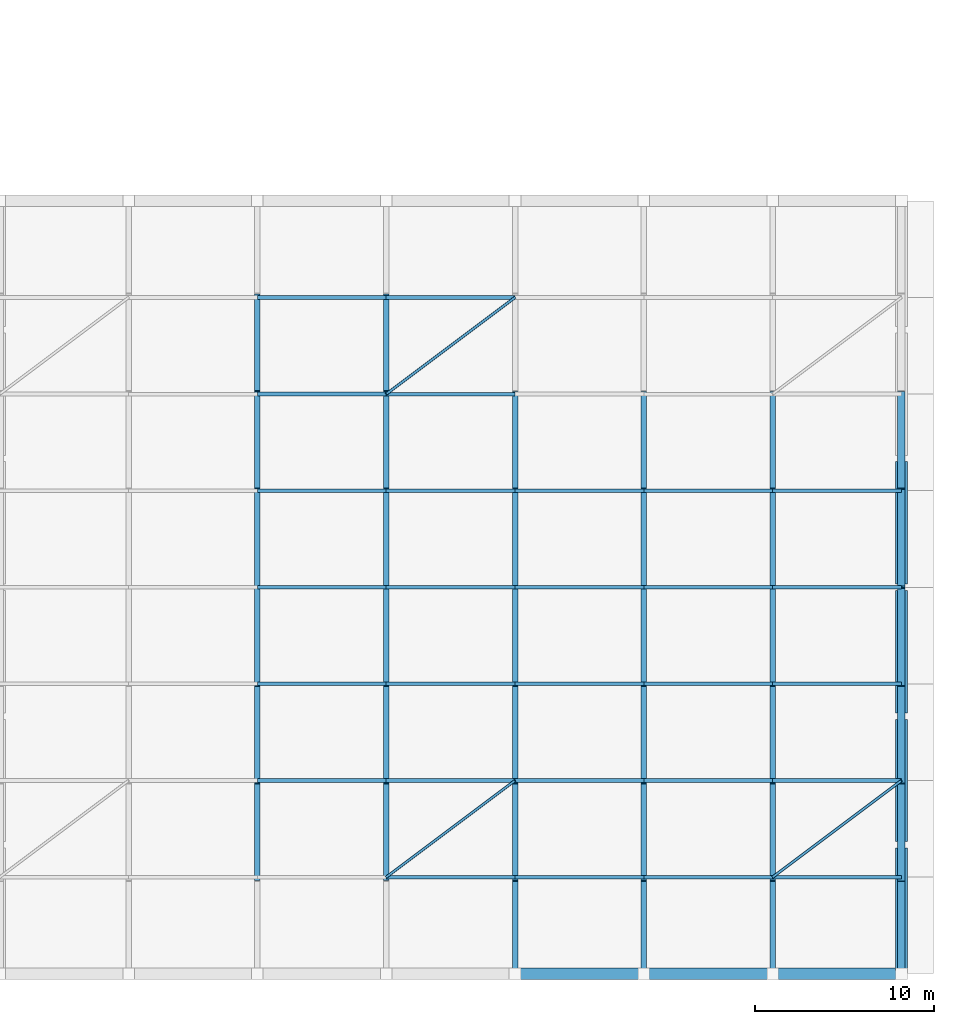
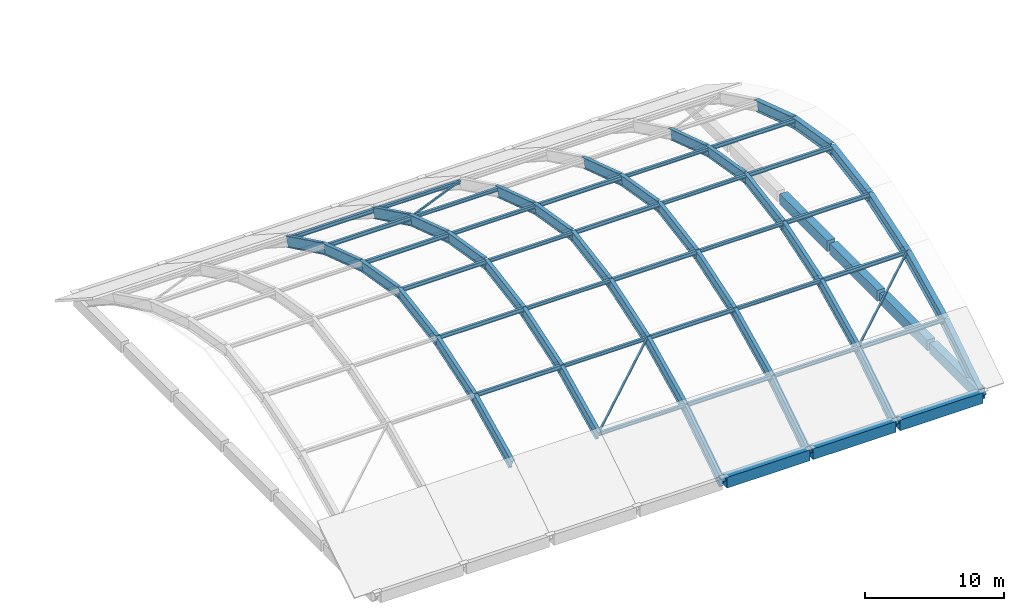
# One storey, part 21 of 38: 43 beams, 31 members.
"""IFC4 building model written with IfcOpenShell, lengths in metres."""

from ifc_helpers import new_model, si_unit, direction, frame, origin, origin_2d, place, context, subcontext, project, spatial, rectangle, hollow_rectangle, i_section, extrude, material, material_profile, profile_set, type_object, element, save


model = new_model("IFC4")

# Units and contexts
model_context = context("Model", 3, precision=1e-05, world=origin(), true_north=direction((0.0, 1.0)))
body_context = subcontext(model_context, "Body", "Model", "MODEL_VIEW")
ifc_project = project(units=[si_unit("LENGTHUNIT", "METRE"), si_unit("AREAUNIT", "SQUARE_METRE"), si_unit("VOLUMEUNIT", "CUBIC_METRE"), si_unit("PLANEANGLEUNIT", "RADIAN"), si_unit("MASSUNIT", "GRAM", prefix="KILO")], contexts=[model_context])

# Site, building, storey
site_placement = place(None, origin())
site = spatial("IfcSite", under=ifc_project, at=site_placement, CompositionType="ELEMENT")
building_placement = place(site_placement, origin())
building = spatial("IfcBuilding", under=site, at=building_placement, Name="Kalmorath City Hall", CompositionType="ELEMENT")
storey_placement = place(building_placement, frame((0.0, 0.0, 18.89990234375)))
storey = spatial("IfcBuildingStorey", under=building, at=storey_placement, Name="L04", CompositionType="ELEMENT", Elevation=18.89990234375)

# Beams
ifc_material_1 = material(Name="Concrete C50/60", Category="concrete")
ifc_material_profile_1 = material_profile(ifc_material_1, rectangle(XDim=0.64990234375, YDim=0.949951171875, at=origin_2d()), Name="RC-RING-650X950")
ifc_profile_set_1 = profile_set([ifc_material_profile_1], Name="Concrete C50/60")
beam_type_1 = type_object("IfcBeamType", Name="Concrete shell ring beam 650x950", PredefinedType="SPANDREL", material=ifc_profile_set_1)
beam_1_placement = place(storey_placement, frame((144.1845703125, 0.0, -0.474853515625), z_axis=(1.0, 0.0, 0.0), x_axis=(0.0, 1.0, 0.0)))
element("IfcBeam", 1, at=beam_1_placement, inside=storey, type_object=beam_type_1, Name="Chamber shell perimeter edge beam RB1-S5", PredefinedType="SPANDREL", context=body_context, shape_type="SweptSolid", body=[
    extrude(rectangle(XDim=0.64990234375, YDim=0.949951171875, at=origin_2d()), origin(), (0.0, 0.0, 1.0), 6.887451171875),
])
beam_2_placement = place(storey_placement, frame((151.327880859375, 0.0, -0.474853515625), z_axis=(1.0, 0.0, 0.0), x_axis=(0.0, 1.0, 0.0)))
element("IfcBeam", 2, at=beam_2_placement, inside=storey, type_object=beam_type_1, Name="Chamber shell perimeter edge beam RB1-S6", PredefinedType="SPANDREL", context=body_context, shape_type="SweptSolid", body=[
    extrude(rectangle(XDim=0.64990234375, YDim=0.949951171875, at=origin_2d()), origin(), (0.0, 0.0, 1.0), 6.8876953125),
])
beam_3_placement = place(storey_placement, frame((158.58447265625, 0.0, -0.474853515625), z_axis=(1.0, 0.0, 0.0), x_axis=(0.0, 1.0, 0.0)))
element("IfcBeam", 3, at=beam_3_placement, inside=storey, type_object=beam_type_1, Name="Chamber shell perimeter edge beam RB1-S7", PredefinedType="SPANDREL", context=body_context, shape_type="SweptSolid", body=[
    extrude(rectangle(XDim=0.64990234375, YDim=0.949951171875, at=origin_2d()), origin(), (0.0, 0.0, 1.0), 6.887451171875),
])
for number, where, z_axis, x_axis, name in (
    (4, (165.60009765625, 0.179931640625, -0.474853515625), (0.0, 1.0, 0.0), (-1.0, 0.0, 0.0), "Chamber shell gable tie beam RB1-E1"),
    (5, (165.60009765625, 7.3798828125, -0.474853515625), (0.0, 1.0, 0.0), (-1.0, 0.0, 0.0), "Chamber shell gable tie beam RB1-E2"),
):
    element("IfcBeam", number, at=place(storey_placement, frame(where, z_axis=z_axis, x_axis=x_axis)), inside=storey, type_object=beam_type_1, Name=name, PredefinedType="SPANDREL", context=body_context, shape_type="SweptSolid", body=[
        extrude(rectangle(XDim=0.64990234375, YDim=0.949951171875, at=origin_2d()), origin(), (0.0, 0.0, 1.0), 6.840087890625),
    ])
beam_4_placement = place(storey_placement, frame((165.60009765625, 14.580078125, -0.474853515625), z_axis=(0.0, 1.0, 0.0), x_axis=(-1.0, 0.0, 0.0)))
element("IfcBeam", 6, at=beam_4_placement, inside=storey, type_object=beam_type_1, Name="Chamber shell gable tie beam RB1-E3", PredefinedType="SPANDREL", context=body_context, shape_type="SweptSolid", body=[
    extrude(rectangle(XDim=0.64990234375, YDim=0.949951171875, at=origin_2d()), origin(), (0.0, 0.0, 1.0), 6.83984375),
])
beam_5_placement = place(storey_placement, frame((165.60009765625, 21.780029296875, -0.474853515625), z_axis=(0.0, 1.0, 0.0), x_axis=(-1.0, 0.0, 0.0)))
element("IfcBeam", 7, at=beam_5_placement, inside=storey, type_object=beam_type_1, Name="Chamber shell gable tie beam RB1-E4", PredefinedType="SPANDREL", context=body_context, shape_type="SweptSolid", body=[
    extrude(rectangle(XDim=0.64990234375, YDim=0.949951171875, at=origin_2d()), origin(), (0.0, 0.0, 1.0), 6.840087890625),
])
ifc_material_2 = material(Name="Steel ASTM A992 Grade 50", Category="steel")
ifc_material_profile_2 = material_profile(ifc_material_2, i_section(OverallWidth=0.306884765625, OverallDepth=0.923095703125, WebThickness=0.018310546875, FlangeThickness=0.030029296875, FilletRadius=0.02392578125, at=origin_2d()), Name="W36X182")
ifc_profile_set_2 = profile_set([ifc_material_profile_2], Name="Steel ASTM A992 Grade 50")
beam_type_2 = type_object("IfcBeamType", Name="Steel parabolic shell arch rib W36X182", PredefinedType="BEAM", material=ifc_profile_set_2)
beam_6_placement = place(storey_placement, frame((129.60009765625, 5.39990234375, 2.78564453125), z_axis=(0.0, 0.899116638092, 0.437709117002), x_axis=(-1.0, 0.0, 0.0)))
element("IfcBeam", 8, at=beam_6_placement, inside=storey, type_object=beam_type_2, Name="Chamber shell arch rib AR2 R3.2", PredefinedType="BEAM", context=body_context, shape_type="SweptSolid", body=[
    extrude(i_section(OverallWidth=0.306884765625, OverallDepth=0.923095703125, WebThickness=0.018310546875, FlangeThickness=0.030029296875, FilletRadius=0.02392578125, at=origin_2d()), origin(), (0.0, 0.0, 1.0), 6.006103515625),
])
beam_7_placement = place(storey_placement, frame((129.60009765625, 10.800048828125, 5.41455078125), z_axis=(0.0, 0.950201598717, 0.311635880147), x_axis=(-1.0, 0.0, 0.0)))
element("IfcBeam", 9, at=beam_7_placement, inside=storey, type_object=beam_type_2, Name="Chamber shell arch rib AR2 R3.3", PredefinedType="BEAM", context=body_context, shape_type="SweptSolid", body=[
    extrude(i_section(OverallWidth=0.306884765625, OverallDepth=0.923095703125, WebThickness=0.018310546875, FlangeThickness=0.030029296875, FilletRadius=0.02392578125, at=origin_2d()), origin(), (0.0, 0.0, 1.0), 5.682861328125),
])
beam_8_placement = place(storey_placement, frame((129.60009765625, 16.199951171875, 7.185546875), z_axis=(0.0, 0.986004456635, 0.166718959619), x_axis=(-1.0, 0.0, 0.0)))
element("IfcBeam", 10, at=beam_8_placement, inside=storey, type_object=beam_type_2, Name="Chamber shell arch rib AR2 R3.4", PredefinedType="BEAM", context=body_context, shape_type="SweptSolid", body=[
    extrude(i_section(OverallWidth=0.306884765625, OverallDepth=0.923095703125, WebThickness=0.018310546875, FlangeThickness=0.030029296875, FilletRadius=0.02392578125, at=origin_2d()), origin(), (0.0, 0.0, 1.0), 5.476806640625),
])
beam_9_placement = place(storey_placement, frame((129.60009765625, 21.60009765625, 8.0986328125), z_axis=(0.0, 0.986003217519, -0.166726287798), x_axis=(-1.0, 0.0, 0.0)))
element("IfcBeam", 11, at=beam_9_placement, inside=storey, type_object=beam_type_2, Name="Chamber shell arch rib AR2 R3.5", PredefinedType="BEAM", context=body_context, shape_type="SweptSolid", body=[
    extrude(i_section(OverallWidth=0.306884765625, OverallDepth=0.923095703125, WebThickness=0.018310546875, FlangeThickness=0.030029296875, FilletRadius=0.02392578125, at=origin_2d()), origin(), (0.0, 0.0, 1.0), 5.4765625),
])
beam_10_placement = place(storey_placement, frame((129.60009765625, 27.0, 7.185546875), z_axis=(0.0, 0.950201598717, -0.311635880147), x_axis=(-1.0, 0.0, 0.0)))
element("IfcBeam", 12, at=beam_10_placement, inside=storey, type_object=beam_type_2, Name="Chamber shell arch rib AR2 R3.6", PredefinedType="BEAM", context=body_context, shape_type="SweptSolid", body=[
    extrude(i_section(OverallWidth=0.306884765625, OverallDepth=0.923095703125, WebThickness=0.018310546875, FlangeThickness=0.030029296875, FilletRadius=0.02392578125, at=origin_2d()), origin(), (0.0, 0.0, 1.0), 5.682861328125),
])
for number, where, z_axis, x_axis, name in (
    (13, (129.60009765625, 32.39990234375, 5.41455078125), (0.0, 0.899116638092, -0.437709117002), (-1.0, 0.0, 0.0), "Chamber shell arch rib AR2 R3.7"),
    (14, (136.800048828125, 5.39990234375, 2.78564453125), (0.0, 0.899116638092, 0.437709117002), (-1.0, 0.0, 0.0), "Chamber shell arch rib AR2 R4.2"),
):
    element("IfcBeam", number, at=place(storey_placement, frame(where, z_axis=z_axis, x_axis=x_axis)), inside=storey, type_object=beam_type_2, Name=name, PredefinedType="BEAM", context=body_context, shape_type="SweptSolid", body=[
        extrude(i_section(OverallWidth=0.306884765625, OverallDepth=0.923095703125, WebThickness=0.018310546875, FlangeThickness=0.030029296875, FilletRadius=0.02392578125, at=origin_2d()), origin(), (0.0, 0.0, 1.0), 6.006103515625),
    ])
beam_11_placement = place(storey_placement, frame((136.800048828125, 10.800048828125, 5.41455078125), z_axis=(0.0, 0.950201598717, 0.311635880147), x_axis=(-1.0, 0.0, 0.0)))
element("IfcBeam", 15, at=beam_11_placement, inside=storey, type_object=beam_type_2, Name="Chamber shell arch rib AR2 R4.3", PredefinedType="BEAM", context=body_context, shape_type="SweptSolid", body=[
    extrude(i_section(OverallWidth=0.306884765625, OverallDepth=0.923095703125, WebThickness=0.018310546875, FlangeThickness=0.030029296875, FilletRadius=0.02392578125, at=origin_2d()), origin(), (0.0, 0.0, 1.0), 5.682861328125),
])
beam_12_placement = place(storey_placement, frame((136.800048828125, 16.199951171875, 7.185546875), z_axis=(0.0, 0.986004456635, 0.166718959619), x_axis=(-1.0, 0.0, 0.0)))
element("IfcBeam", 16, at=beam_12_placement, inside=storey, type_object=beam_type_2, Name="Chamber shell arch rib AR2 R4.4", PredefinedType="BEAM", context=body_context, shape_type="SweptSolid", body=[
    extrude(i_section(OverallWidth=0.306884765625, OverallDepth=0.923095703125, WebThickness=0.018310546875, FlangeThickness=0.030029296875, FilletRadius=0.02392578125, at=origin_2d()), origin(), (0.0, 0.0, 1.0), 5.476806640625),
])
beam_13_placement = place(storey_placement, frame((136.800048828125, 21.60009765625, 8.0986328125), z_axis=(0.0, 0.986003217519, -0.166726287798), x_axis=(-1.0, 0.0, 0.0)))
element("IfcBeam", 17, at=beam_13_placement, inside=storey, type_object=beam_type_2, Name="Chamber shell arch rib AR2 R4.5", PredefinedType="BEAM", context=body_context, shape_type="SweptSolid", body=[
    extrude(i_section(OverallWidth=0.306884765625, OverallDepth=0.923095703125, WebThickness=0.018310546875, FlangeThickness=0.030029296875, FilletRadius=0.02392578125, at=origin_2d()), origin(), (0.0, 0.0, 1.0), 5.4765625),
])
beam_14_placement = place(storey_placement, frame((136.800048828125, 27.0, 7.185546875), z_axis=(0.0, 0.950201598717, -0.311635880147), x_axis=(-1.0, 0.0, 0.0)))
element("IfcBeam", 18, at=beam_14_placement, inside=storey, type_object=beam_type_2, Name="Chamber shell arch rib AR2 R4.6", PredefinedType="BEAM", context=body_context, shape_type="SweptSolid", body=[
    extrude(i_section(OverallWidth=0.306884765625, OverallDepth=0.923095703125, WebThickness=0.018310546875, FlangeThickness=0.030029296875, FilletRadius=0.02392578125, at=origin_2d()), origin(), (0.0, 0.0, 1.0), 5.682861328125),
])
beam_15_placement = place(storey_placement, frame((136.800048828125, 32.39990234375, 5.41455078125), z_axis=(0.0, 0.899116638092, -0.437709117002), x_axis=(-1.0, 0.0, 0.0)))
element("IfcBeam", 19, at=beam_15_placement, inside=storey, type_object=beam_type_2, Name="Chamber shell arch rib AR2 R4.7", PredefinedType="BEAM", context=body_context, shape_type="SweptSolid", body=[
    extrude(i_section(OverallWidth=0.306884765625, OverallDepth=0.923095703125, WebThickness=0.018310546875, FlangeThickness=0.030029296875, FilletRadius=0.02392578125, at=origin_2d()), origin(), (0.0, 0.0, 1.0), 6.006103515625),
])
beam_16_placement = place(storey_placement, frame((144.0, 0.0, -0.701416015625), z_axis=(0.0, 0.840066062404, 0.542484111101), x_axis=(-1.0, 0.0, 0.0)))
element("IfcBeam", 20, at=beam_16_placement, inside=storey, type_object=beam_type_2, Name="Chamber shell arch rib AR2 R5.1", PredefinedType="BEAM", context=body_context, shape_type="SweptSolid", body=[
    extrude(i_section(OverallWidth=0.306884765625, OverallDepth=0.923095703125, WebThickness=0.018310546875, FlangeThickness=0.030029296875, FilletRadius=0.02392578125, at=origin_2d()), origin(), (0.0, 0.0, 1.0), 6.427978515625),
])
beam_17_placement = place(storey_placement, frame((144.0, 5.39990234375, 2.78564453125), z_axis=(0.0, 0.899116638092, 0.437709117002), x_axis=(-1.0, 0.0, 0.0)))
element("IfcBeam", 21, at=beam_17_placement, inside=storey, type_object=beam_type_2, Name="Chamber shell arch rib AR2 R5.2", PredefinedType="BEAM", context=body_context, shape_type="SweptSolid", body=[
    extrude(i_section(OverallWidth=0.306884765625, OverallDepth=0.923095703125, WebThickness=0.018310546875, FlangeThickness=0.030029296875, FilletRadius=0.02392578125, at=origin_2d()), origin(), (0.0, 0.0, 1.0), 6.006103515625),
])
beam_18_placement = place(storey_placement, frame((144.0, 10.800048828125, 5.41455078125), z_axis=(0.0, 0.950201598717, 0.311635880147), x_axis=(-1.0, 0.0, 0.0)))
element("IfcBeam", 22, at=beam_18_placement, inside=storey, type_object=beam_type_2, Name="Chamber shell arch rib AR2 R5.3", PredefinedType="BEAM", context=body_context, shape_type="SweptSolid", body=[
    extrude(i_section(OverallWidth=0.306884765625, OverallDepth=0.923095703125, WebThickness=0.018310546875, FlangeThickness=0.030029296875, FilletRadius=0.02392578125, at=origin_2d()), origin(), (0.0, 0.0, 1.0), 5.682861328125),
])
beam_19_placement = place(storey_placement, frame((144.0, 16.199951171875, 7.185546875), z_axis=(0.0, 0.986004456635, 0.166718959619), x_axis=(-1.0, 0.0, 0.0)))
element("IfcBeam", 23, at=beam_19_placement, inside=storey, type_object=beam_type_2, Name="Chamber shell arch rib AR2 R5.4", PredefinedType="BEAM", context=body_context, shape_type="SweptSolid", body=[
    extrude(i_section(OverallWidth=0.306884765625, OverallDepth=0.923095703125, WebThickness=0.018310546875, FlangeThickness=0.030029296875, FilletRadius=0.02392578125, at=origin_2d()), origin(), (0.0, 0.0, 1.0), 5.476806640625),
])
beam_20_placement = place(storey_placement, frame((144.0, 21.60009765625, 8.0986328125), z_axis=(0.0, 0.986003217519, -0.166726287798), x_axis=(-1.0, 0.0, 0.0)))
element("IfcBeam", 24, at=beam_20_placement, inside=storey, type_object=beam_type_2, Name="Chamber shell arch rib AR2 R5.5", PredefinedType="BEAM", context=body_context, shape_type="SweptSolid", body=[
    extrude(i_section(OverallWidth=0.306884765625, OverallDepth=0.923095703125, WebThickness=0.018310546875, FlangeThickness=0.030029296875, FilletRadius=0.02392578125, at=origin_2d()), origin(), (0.0, 0.0, 1.0), 5.4765625),
])
beam_21_placement = place(storey_placement, frame((144.0, 27.0, 7.185546875), z_axis=(0.0, 0.950201598717, -0.311635880147), x_axis=(-1.0, 0.0, 0.0)))
element("IfcBeam", 25, at=beam_21_placement, inside=storey, type_object=beam_type_2, Name="Chamber shell arch rib AR2 R5.6", PredefinedType="BEAM", context=body_context, shape_type="SweptSolid", body=[
    extrude(i_section(OverallWidth=0.306884765625, OverallDepth=0.923095703125, WebThickness=0.018310546875, FlangeThickness=0.030029296875, FilletRadius=0.02392578125, at=origin_2d()), origin(), (0.0, 0.0, 1.0), 5.682861328125),
])
beam_22_placement = place(storey_placement, frame((151.199951171875, 0.0, -0.701416015625), z_axis=(0.0, 0.840066062404, 0.542484111101), x_axis=(-1.0, 0.0, 0.0)))
element("IfcBeam", 26, at=beam_22_placement, inside=storey, type_object=beam_type_2, Name="Chamber shell arch rib AR2 R6.1", PredefinedType="BEAM", context=body_context, shape_type="SweptSolid", body=[
    extrude(i_section(OverallWidth=0.306884765625, OverallDepth=0.923095703125, WebThickness=0.018310546875, FlangeThickness=0.030029296875, FilletRadius=0.02392578125, at=origin_2d()), origin(), (0.0, 0.0, 1.0), 6.427978515625),
])
beam_23_placement = place(storey_placement, frame((151.199951171875, 5.39990234375, 2.78564453125), z_axis=(0.0, 0.899116638092, 0.437709117002), x_axis=(-1.0, 0.0, 0.0)))
element("IfcBeam", 27, at=beam_23_placement, inside=storey, type_object=beam_type_2, Name="Chamber shell arch rib AR2 R6.2", PredefinedType="BEAM", context=body_context, shape_type="SweptSolid", body=[
    extrude(i_section(OverallWidth=0.306884765625, OverallDepth=0.923095703125, WebThickness=0.018310546875, FlangeThickness=0.030029296875, FilletRadius=0.02392578125, at=origin_2d()), origin(), (0.0, 0.0, 1.0), 6.006103515625),
])
beam_24_placement = place(storey_placement, frame((151.199951171875, 10.800048828125, 5.41455078125), z_axis=(0.0, 0.950201598717, 0.311635880147), x_axis=(-1.0, 0.0, 0.0)))
element("IfcBeam", 28, at=beam_24_placement, inside=storey, type_object=beam_type_2, Name="Chamber shell arch rib AR2 R6.3", PredefinedType="BEAM", context=body_context, shape_type="SweptSolid", body=[
    extrude(i_section(OverallWidth=0.306884765625, OverallDepth=0.923095703125, WebThickness=0.018310546875, FlangeThickness=0.030029296875, FilletRadius=0.02392578125, at=origin_2d()), origin(), (0.0, 0.0, 1.0), 5.682861328125),
])
beam_25_placement = place(storey_placement, frame((151.199951171875, 16.199951171875, 7.185546875), z_axis=(0.0, 0.986004456635, 0.166718959619), x_axis=(-1.0, 0.0, 0.0)))
element("IfcBeam", 29, at=beam_25_placement, inside=storey, type_object=beam_type_2, Name="Chamber shell arch rib AR2 R6.4", PredefinedType="BEAM", context=body_context, shape_type="SweptSolid", body=[
    extrude(i_section(OverallWidth=0.306884765625, OverallDepth=0.923095703125, WebThickness=0.018310546875, FlangeThickness=0.030029296875, FilletRadius=0.02392578125, at=origin_2d()), origin(), (0.0, 0.0, 1.0), 5.476806640625),
])
beam_26_placement = place(storey_placement, frame((151.199951171875, 21.60009765625, 8.0986328125), z_axis=(0.0, 0.986003217519, -0.166726287798), x_axis=(-1.0, 0.0, 0.0)))
element("IfcBeam", 30, at=beam_26_placement, inside=storey, type_object=beam_type_2, Name="Chamber shell arch rib AR2 R6.5", PredefinedType="BEAM", context=body_context, shape_type="SweptSolid", body=[
    extrude(i_section(OverallWidth=0.306884765625, OverallDepth=0.923095703125, WebThickness=0.018310546875, FlangeThickness=0.030029296875, FilletRadius=0.02392578125, at=origin_2d()), origin(), (0.0, 0.0, 1.0), 5.4765625),
])
beam_27_placement = place(storey_placement, frame((151.199951171875, 27.0, 7.185546875), z_axis=(0.0, 0.950201598717, -0.311635880147), x_axis=(-1.0, 0.0, 0.0)))
element("IfcBeam", 31, at=beam_27_placement, inside=storey, type_object=beam_type_2, Name="Chamber shell arch rib AR2 R6.6", PredefinedType="BEAM", context=body_context, shape_type="SweptSolid", body=[
    extrude(i_section(OverallWidth=0.306884765625, OverallDepth=0.923095703125, WebThickness=0.018310546875, FlangeThickness=0.030029296875, FilletRadius=0.02392578125, at=origin_2d()), origin(), (0.0, 0.0, 1.0), 5.682861328125),
])
ifc_material_3 = material(Name="Steel ASTM A992 Grade 50", Category="steel")
ifc_material_profile_3 = material_profile(ifc_material_3, i_section(OverallWidth=0.4189453125, OverallDepth=0.927001953125, WebThickness=0.019287109375, FlangeThickness=0.031982421875, FilletRadius=0.02392578125, at=origin_2d()), Name="W36X231")
ifc_profile_set_3 = profile_set([ifc_material_profile_3], Name="Steel ASTM A992 Grade 50")
beam_type_3 = type_object("IfcBeamType", Name="Steel parabolic shell arch rib W36X231", PredefinedType="BEAM", material=ifc_profile_set_3)
beam_28_placement = place(storey_placement, frame((165.60009765625, 0.0, -0.703369140625), z_axis=(0.0, 0.840066062404, 0.542484111101), x_axis=(-1.0, 0.0, 0.0)))
element("IfcBeam", 32, at=beam_28_placement, inside=storey, type_object=beam_type_3, Name="Chamber shell arch rib AR1 R8.1", PredefinedType="BEAM", context=body_context, shape_type="SweptSolid", body=[
    extrude(i_section(OverallWidth=0.4189453125, OverallDepth=0.927001953125, WebThickness=0.019287109375, FlangeThickness=0.031982421875, FilletRadius=0.02392578125, at=origin_2d()), origin(), (0.0, 0.0, 1.0), 6.427978515625),
])
beam_29_placement = place(storey_placement, frame((165.60009765625, 5.39990234375, 2.78369140625), z_axis=(0.0, 0.899116638092, 0.437709117002), x_axis=(-1.0, 0.0, 0.0)))
element("IfcBeam", 33, at=beam_29_placement, inside=storey, type_object=beam_type_3, Name="Chamber shell arch rib AR1 R8.2", PredefinedType="BEAM", context=body_context, shape_type="SweptSolid", body=[
    extrude(i_section(OverallWidth=0.4189453125, OverallDepth=0.927001953125, WebThickness=0.019287109375, FlangeThickness=0.031982421875, FilletRadius=0.02392578125, at=origin_2d()), origin(), (0.0, 0.0, 1.0), 6.006103515625),
])
beam_30_placement = place(storey_placement, frame((165.60009765625, 10.800048828125, 5.41259765625), z_axis=(0.0, 0.950201598717, 0.311635880147), x_axis=(-1.0, 0.0, 0.0)))
element("IfcBeam", 34, at=beam_30_placement, inside=storey, type_object=beam_type_3, Name="Chamber shell arch rib AR1 R8.3", PredefinedType="BEAM", context=body_context, shape_type="SweptSolid", body=[
    extrude(i_section(OverallWidth=0.4189453125, OverallDepth=0.927001953125, WebThickness=0.019287109375, FlangeThickness=0.031982421875, FilletRadius=0.02392578125, at=origin_2d()), origin(), (0.0, 0.0, 1.0), 5.682861328125),
])
beam_31_placement = place(storey_placement, frame((165.60009765625, 16.199951171875, 7.18359375), z_axis=(0.0, 0.986004456635, 0.166718959619), x_axis=(-1.0, 0.0, 0.0)))
element("IfcBeam", 35, at=beam_31_placement, inside=storey, type_object=beam_type_3, Name="Chamber shell arch rib AR1 R8.4", PredefinedType="BEAM", context=body_context, shape_type="SweptSolid", body=[
    extrude(i_section(OverallWidth=0.4189453125, OverallDepth=0.927001953125, WebThickness=0.019287109375, FlangeThickness=0.031982421875, FilletRadius=0.02392578125, at=origin_2d()), origin(), (0.0, 0.0, 1.0), 5.476806640625),
])
beam_32_placement = place(storey_placement, frame((165.60009765625, 21.60009765625, 8.0966796875), z_axis=(0.0, 0.986003217519, -0.166726287798), x_axis=(-1.0, 0.0, 0.0)))
element("IfcBeam", 36, at=beam_32_placement, inside=storey, type_object=beam_type_3, Name="Chamber shell arch rib AR1 R8.5", PredefinedType="BEAM", context=body_context, shape_type="SweptSolid", body=[
    extrude(i_section(OverallWidth=0.4189453125, OverallDepth=0.927001953125, WebThickness=0.019287109375, FlangeThickness=0.031982421875, FilletRadius=0.02392578125, at=origin_2d()), origin(), (0.0, 0.0, 1.0), 5.4765625),
])
beam_33_placement = place(storey_placement, frame((165.60009765625, 27.0, 7.18359375), z_axis=(0.0, 0.950201598717, -0.311635880147), x_axis=(-1.0, 0.0, 0.0)))
element("IfcBeam", 37, at=beam_33_placement, inside=storey, type_object=beam_type_3, Name="Chamber shell arch rib AR1 R8.6", PredefinedType="BEAM", context=body_context, shape_type="SweptSolid", body=[
    extrude(i_section(OverallWidth=0.4189453125, OverallDepth=0.927001953125, WebThickness=0.019287109375, FlangeThickness=0.031982421875, FilletRadius=0.02392578125, at=origin_2d()), origin(), (0.0, 0.0, 1.0), 5.682861328125),
])

# Members
ifc_material_4 = material(Name="Steel ASTM A992 Grade 50", Category="steel")
ifc_material_profile_4 = material_profile(ifc_material_4, i_section(OverallWidth=0.202880859375, OverallDepth=0.302978515625, WebThickness=0.007568359375, FlangeThickness=0.01318359375, FilletRadius=0.014892578125, at=origin_2d()), Name="W12X40")
ifc_profile_set_4 = profile_set([ifc_material_profile_4], Name="Steel ASTM A992 Grade 50")
member_type_1 = type_object("IfcMemberType", Name="Steel roof purlin member W12X40", PredefinedType="PURLIN", material=ifc_profile_set_4)
for number, where, z_axis, x_axis, name in (
    (38, (136.800048828125, 5.39990234375, 2.95703125), (1.0, 0.0, 0.0), (0.0, 1.0, 0.0), "Chamber shell purlin RF6-4.1"),
    (39, (136.800048828125, 10.800048828125, 5.586181640625), (1.0, 0.0, 0.0), (0.0, 1.0, 0.0), "Chamber shell purlin RF6-4.2"),
    (40, (136.800048828125, 16.199951171875, 7.357177734375), (1.0, 0.0, 0.0), (0.0, 1.0, 0.0), "Chamber shell purlin RF6-4.3"),
    (41, (136.800048828125, 21.60009765625, 8.27001953125), (1.0, 0.0, 0.0), (0.0, 1.0, 0.0), "Chamber shell purlin RF6-4.4"),
    (42, (136.800048828125, 27.0, 7.357177734375), (1.0, 0.0, 0.0), (0.0, 1.0, 0.0), "Chamber shell purlin RF6-4.5"),
    (43, (136.800048828125, 32.39990234375, 5.586181640625), (1.0, 0.0, 0.0), (0.0, 1.0, 0.0), "Chamber shell purlin RF6-4.6"),
    (44, (136.800048828125, 37.800048828125, 2.95703125), (1.0, 0.0, 0.0), (0.0, 1.0, 0.0), "Chamber shell purlin RF6-4.7"),
    (45, (151.199951171875, 5.39990234375, 2.95703125), (1.0, 0.0, 0.0), (0.0, 1.0, 0.0), "Chamber shell purlin RF6-6.1"),
    (46, (151.199951171875, 10.800048828125, 5.586181640625), (1.0, 0.0, 0.0), (0.0, 1.0, 0.0), "Chamber shell purlin RF6-6.2"),
    (47, (151.199951171875, 16.199951171875, 7.357177734375), (1.0, 0.0, 0.0), (0.0, 1.0, 0.0), "Chamber shell purlin RF6-6.3"),
    (48, (151.199951171875, 21.60009765625, 8.27001953125), (1.0, 0.0, 0.0), (0.0, 1.0, 0.0), "Chamber shell purlin RF6-6.4"),
    (49, (151.199951171875, 27.0, 7.357177734375), (1.0, 0.0, 0.0), (0.0, 1.0, 0.0), "Chamber shell purlin RF6-6.5"),
):
    element("IfcMember", number, at=place(storey_placement, frame(where, z_axis=z_axis, x_axis=x_axis)), inside=storey, type_object=member_type_1, Name=name, PredefinedType="PURLIN", context=body_context, shape_type="SweptSolid", body=[
        extrude(i_section(OverallWidth=0.202880859375, OverallDepth=0.302978515625, WebThickness=0.007568359375, FlangeThickness=0.01318359375, FilletRadius=0.014892578125, at=origin_2d()), origin(), (0.0, 0.0, 1.0), 7.199951171875),
    ])
ifc_material_5 = material(Name="Steel ASTM A992 Grade 50", Category="steel")
ifc_material_profile_5 = material_profile(ifc_material_5, i_section(OverallWidth=0.2041015625, OverallDepth=0.35009765625, WebThickness=0.008544921875, FlangeThickness=0.01513671875, FilletRadius=0.014892578125, at=origin_2d()), Name="W14X48")
ifc_profile_set_5 = profile_set([ifc_material_profile_5], Name="Steel ASTM A992 Grade 50")
member_type_2 = type_object("IfcMemberType", Name="Steel roof purlin member W14X48", PredefinedType="PURLIN", material=ifc_profile_set_5)
for number, where, z_axis, x_axis, name in (
    (50, (129.60009765625, 10.800048828125, 5.586181640625), (1.0, 0.0, 0.0), (0.0, 1.0, 0.0), "Chamber shell purlin RF5-3.2"),
    (51, (129.60009765625, 16.199951171875, 7.357177734375), (1.0, 0.0, 0.0), (0.0, 1.0, 0.0), "Chamber shell purlin RF5-3.3"),
    (52, (129.60009765625, 21.60009765625, 8.27001953125), (1.0, 0.0, 0.0), (0.0, 1.0, 0.0), "Chamber shell purlin RF5-3.4"),
    (53, (129.60009765625, 27.0, 7.357177734375), (1.0, 0.0, 0.0), (0.0, 1.0, 0.0), "Chamber shell purlin RF5-3.5"),
    (54, (129.60009765625, 32.39990234375, 5.586181640625), (1.0, 0.0, 0.0), (0.0, 1.0, 0.0), "Chamber shell purlin RF5-3.6"),
    (55, (129.60009765625, 37.800048828125, 2.95703125), (1.0, 0.0, 0.0), (0.0, 1.0, 0.0), "Chamber shell purlin RF5-3.7"),
    (56, (144.0, 5.39990234375, 2.95703125), (1.0, 0.0, 0.0), (0.0, 1.0, 0.0), "Chamber shell purlin RF5-5.1"),
    (57, (144.0, 10.800048828125, 5.586181640625), (1.0, 0.0, 0.0), (0.0, 1.0, 0.0), "Chamber shell purlin RF5-5.2"),
    (58, (144.0, 16.199951171875, 7.357177734375), (1.0, 0.0, 0.0), (0.0, 1.0, 0.0), "Chamber shell purlin RF5-5.3"),
    (59, (144.0, 21.60009765625, 8.27001953125), (1.0, 0.0, 0.0), (0.0, 1.0, 0.0), "Chamber shell purlin RF5-5.4"),
    (60, (144.0, 27.0, 7.357177734375), (1.0, 0.0, 0.0), (0.0, 1.0, 0.0), "Chamber shell purlin RF5-5.5"),
):
    element("IfcMember", number, at=place(storey_placement, frame(where, z_axis=z_axis, x_axis=x_axis)), inside=storey, type_object=member_type_2, Name=name, PredefinedType="PURLIN", context=body_context, shape_type="SweptSolid", body=[
        extrude(i_section(OverallWidth=0.2041015625, OverallDepth=0.35009765625, WebThickness=0.008544921875, FlangeThickness=0.01513671875, FilletRadius=0.014892578125, at=origin_2d()), origin(), (0.0, 0.0, 1.0), 7.199951171875),
    ])
for number, where, z_axis, x_axis, name in (
    (61, (158.39990234375, 5.39990234375, 2.95703125), (1.0, 0.0, 0.0), (0.0, 1.0, 0.0), "Chamber shell purlin RF5-7.1"),
    (62, (158.39990234375, 10.800048828125, 5.586181640625), (1.0, 0.0, 0.0), (0.0, 1.0, 0.0), "Chamber shell purlin RF5-7.2"),
    (63, (158.39990234375, 16.199951171875, 7.357177734375), (1.0, 0.0, 0.0), (0.0, 1.0, 0.0), "Chamber shell purlin RF5-7.3"),
    (64, (158.39990234375, 21.60009765625, 8.27001953125), (1.0, 0.0, 0.0), (0.0, 1.0, 0.0), "Chamber shell purlin RF5-7.4"),
    (65, (158.39990234375, 27.0, 7.357177734375), (1.0, 0.0, 0.0), (0.0, 1.0, 0.0), "Chamber shell purlin RF5-7.5"),
):
    element("IfcMember", number, at=place(storey_placement, frame(where, z_axis=z_axis, x_axis=x_axis)), inside=storey, type_object=member_type_2, Name=name, PredefinedType="PURLIN", context=body_context, shape_type="SweptSolid", body=[
        extrude(i_section(OverallWidth=0.2041015625, OverallDepth=0.35009765625, WebThickness=0.008544921875, FlangeThickness=0.01513671875, FilletRadius=0.014892578125, at=origin_2d()), origin(), (0.0, 0.0, 1.0), 7.2001953125),
    ])
ifc_material_6 = material(Name="Steel ASTM A500 Grade C", Category="steel")
ifc_material_profile_6 = material_profile(ifc_material_6, hollow_rectangle(XDim=0.152099609375, YDim=0.152099609375, WallThickness=0.0087890625, InnerFilletRadius=0.0087890625, OuterFilletRadius=0.017822265625, at=origin_2d()), Name="HSS152X152X9.5")
ifc_profile_set_6 = profile_set([ifc_material_profile_6], Name="Steel ASTM A500 Grade C")
member_type_3 = type_object("IfcMemberType", Name="Steel roof wind brace HSS152X152X9.5", PredefinedType="BRACE", material=ifc_profile_set_6)
for number, where, z_axis, x_axis, name in (
    (66, (136.800048828125, 5.39990234375, 3.037109375), (0.767901302604, 0.575945505825, 0.28038253116), (-0.600013020683, 0.799990234322, 0.0), "Chamber shell wind brace BR4-4.2"),
    (67, (136.800048828125, 32.39990234375, 5.666015625), (0.767901302604, 0.575945505825, -0.28038253116), (-0.600013020683, 0.799990234322, 0.0), "Chamber shell wind brace BR4-4.7"),
    (68, (158.39990234375, 5.39990234375, 3.037109375), (0.767911986597, 0.575933989947, 0.280376924986), (-0.6, 0.8, 0.0), "Chamber shell wind brace BR4-7.2"),
):
    element("IfcMember", number, at=place(storey_placement, frame(where, z_axis=z_axis, x_axis=x_axis)), inside=storey, type_object=member_type_3, Name=name, PredefinedType="BRACE", context=body_context, shape_type="SweptSolid", body=[
        extrude(hollow_rectangle(XDim=0.152099609375, YDim=0.152099609375, WallThickness=0.0087890625, InnerFilletRadius=0.0087890625, OuterFilletRadius=0.017822265625, at=origin_2d()), origin(), (0.0, 0.0, 1.0), 9.376220703125),
    ])

# Beams
ifc_material_7 = material(Name="Steel ASTM A992 Grade 50", Category="steel")
ifc_material_profile_7 = material_profile(ifc_material_7, i_section(OverallWidth=0.303955078125, OverallDepth=0.910888671875, WebThickness=0.015869140625, FlangeThickness=0.02392578125, FilletRadius=0.02392578125, at=origin_2d()), Name="W36X150")
ifc_profile_set_7 = profile_set([ifc_material_profile_7], Name="Steel ASTM A992 Grade 50")
beam_type_4 = type_object("IfcBeamType", Name="Steel shell edge girder W36X150", PredefinedType="SPANDREL", material=ifc_profile_set_7)
beam_34_placement = place(storey_placement, frame((158.39990234375, 0.0, -0.6953125), z_axis=(0.0, 0.840083371177, 0.542457306589), x_axis=(-1.0, 0.0, 0.0)))
element("IfcBeam", 69, at=beam_34_placement, inside=storey, type_object=beam_type_4, Name="Chamber shell arch rib AR3 R7.1", PredefinedType="BEAM", context=body_context, shape_type="SweptSolid", body=[
    extrude(i_section(OverallWidth=0.303955078125, OverallDepth=0.910888671875, WebThickness=0.015869140625, FlangeThickness=0.02392578125, FilletRadius=0.02392578125, at=origin_2d()), origin(), (0.0, 0.0, 1.0), 6.427734375),
])
beam_35_placement = place(storey_placement, frame((158.39990234375, 5.39990234375, 2.79150390625), z_axis=(0.0, 0.899100640274, 0.437741977264), x_axis=(-1.0, 0.0, 0.0)))
element("IfcBeam", 70, at=beam_35_placement, inside=storey, type_object=beam_type_4, Name="Chamber shell arch rib AR3 R7.2", PredefinedType="BEAM", context=body_context, shape_type="SweptSolid", body=[
    extrude(i_section(OverallWidth=0.303955078125, OverallDepth=0.910888671875, WebThickness=0.015869140625, FlangeThickness=0.02392578125, FilletRadius=0.02392578125, at=origin_2d()), origin(), (0.0, 0.0, 1.0), 6.006103515625),
])
beam_36_placement = place(storey_placement, frame((158.39990234375, 10.800048828125, 5.420654296875), z_axis=(0.0, 0.950201598717, 0.311635880147), x_axis=(-1.0, 0.0, 0.0)))
element("IfcBeam", 71, at=beam_36_placement, inside=storey, type_object=beam_type_4, Name="Chamber shell arch rib AR3 R7.3", PredefinedType="BEAM", context=body_context, shape_type="SweptSolid", body=[
    extrude(i_section(OverallWidth=0.303955078125, OverallDepth=0.910888671875, WebThickness=0.015869140625, FlangeThickness=0.02392578125, FilletRadius=0.02392578125, at=origin_2d()), origin(), (0.0, 0.0, 1.0), 5.682861328125),
])
beam_37_placement = place(storey_placement, frame((158.39990234375, 16.199951171875, 7.191650390625), z_axis=(0.0, 0.986011783598, 0.166675620908), x_axis=(-1.0, 0.0, 0.0)))
element("IfcBeam", 72, at=beam_37_placement, inside=storey, type_object=beam_type_4, Name="Chamber shell arch rib AR3 R7.4", PredefinedType="BEAM", context=body_context, shape_type="SweptSolid", body=[
    extrude(i_section(OverallWidth=0.303955078125, OverallDepth=0.910888671875, WebThickness=0.015869140625, FlangeThickness=0.02392578125, FilletRadius=0.02392578125, at=origin_2d()), origin(), (0.0, 0.0, 1.0), 5.476806640625),
])
beam_38_placement = place(storey_placement, frame((158.39990234375, 21.60009765625, 8.1044921875), z_axis=(0.0, 0.986010545117, -0.166682947291), x_axis=(-1.0, 0.0, 0.0)))
element("IfcBeam", 73, at=beam_38_placement, inside=storey, type_object=beam_type_4, Name="Chamber shell arch rib AR3 R7.5", PredefinedType="BEAM", context=body_context, shape_type="SweptSolid", body=[
    extrude(i_section(OverallWidth=0.303955078125, OverallDepth=0.910888671875, WebThickness=0.015869140625, FlangeThickness=0.02392578125, FilletRadius=0.02392578125, at=origin_2d()), origin(), (0.0, 0.0, 1.0), 5.4765625),
])
beam_39_placement = place(storey_placement, frame((158.39990234375, 27.0, 7.191650390625), z_axis=(0.0, 0.950201598717, -0.311635880147), x_axis=(-1.0, 0.0, 0.0)))
element("IfcBeam", 74, at=beam_39_placement, inside=storey, type_object=beam_type_4, Name="Chamber shell arch rib AR3 R7.6", PredefinedType="BEAM", context=body_context, shape_type="SweptSolid", body=[
    extrude(i_section(OverallWidth=0.303955078125, OverallDepth=0.910888671875, WebThickness=0.015869140625, FlangeThickness=0.02392578125, FilletRadius=0.02392578125, at=origin_2d()), origin(), (0.0, 0.0, 1.0), 5.682861328125),
])

save(model, "model.ifc")
